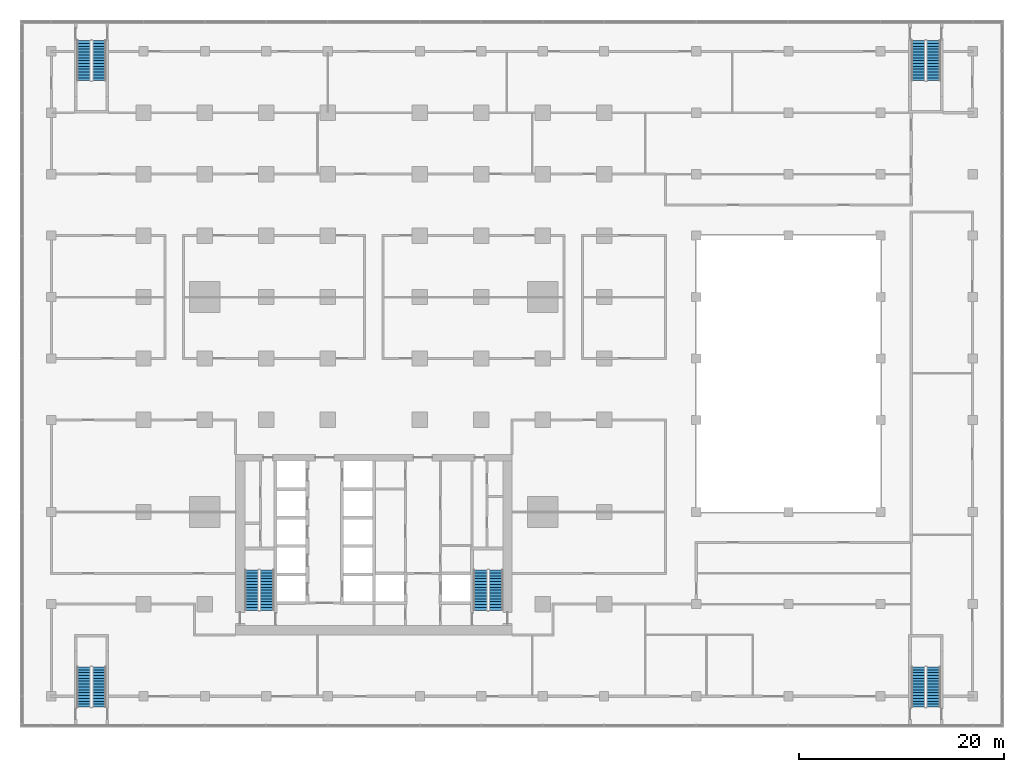
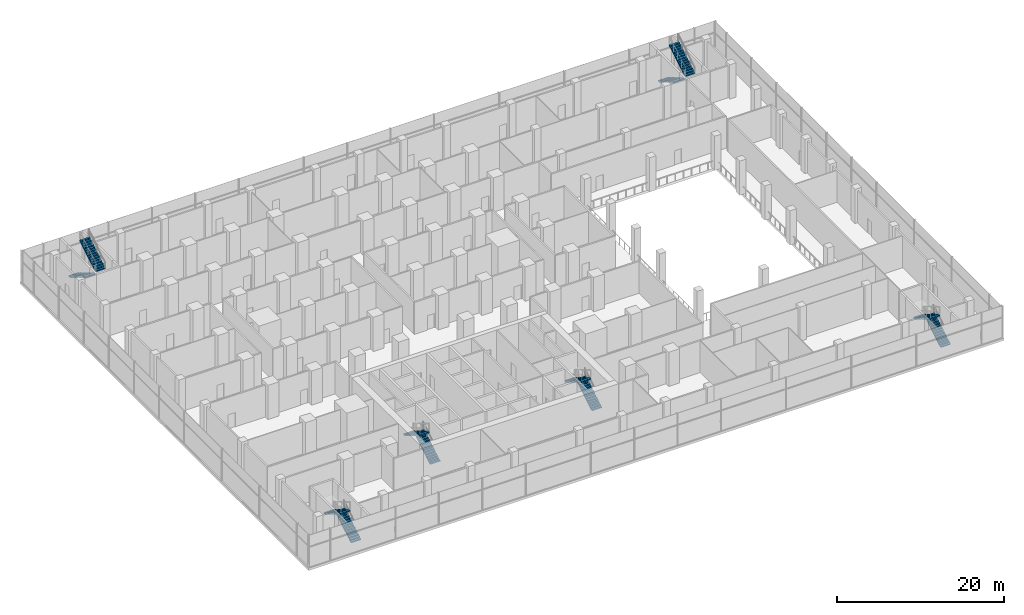
# One storey, part 20 of 22: 12 stair flights, 6 elements without a shape of their own.
"""IFC4 building model written with IfcOpenShell, lengths in metres."""

from ifc_helpers import new_model, si_unit, direction, frame, origin, place, context, subcontext, project, spatial, polyline, outline, extrude, material, type_object, element, aggregate, save


model = new_model("IFC4")

# Units and contexts
model_context = context("Model", 3, precision=1e-05, world=origin(), true_north=direction((0.0, 1.0)))
body_context = subcontext(model_context, "Body", "Model", "MODEL_VIEW")
ifc_project = project(units=[si_unit("LENGTHUNIT", "METRE"), si_unit("AREAUNIT", "SQUARE_METRE"), si_unit("VOLUMEUNIT", "CUBIC_METRE"), si_unit("PLANEANGLEUNIT", "RADIAN"), si_unit("MASSUNIT", "GRAM", prefix="KILO")], contexts=[model_context])

# Site, building, storey
site_placement = place(None, origin())
site = spatial("IfcSite", under=ifc_project, at=site_placement, CompositionType="ELEMENT")
building_placement = place(site_placement, origin())
building = spatial("IfcBuilding", under=site, at=building_placement, Name="Finial Court Residences", CompositionType="ELEMENT")
storey_placement = place(building_placement, frame((0.0, 0.0, 13.5)))
storey = spatial("IfcBuildingStorey", under=building, at=storey_placement, Name="L02", CompositionType="ELEMENT", Elevation=13.5)

# Stair, stair flights
ifc_material = material(Name="Concrete C50/60", Category="concrete")
stair_type = type_object("IfcStairType", Name="Exit stair 30 risers of 166.7 mm", PredefinedType="HALF_TURN_STAIR", material=ifc_material)
stair_1_placement = place(storey_placement, origin())
stair_1 = element("IfcStair", 1, at=stair_1_placement, inside=storey, type_object=stair_type, Name="L02 Exit stair ST-1", PredefinedType="HALF_TURN_STAIR")
stair_flight_type = type_object("IfcStairFlightType", Name="Exit stair flight", PredefinedType="STRAIGHT", material=ifc_material)
stair_flight_1_placement = place(storey_placement, frame((-10.425048828125, -23.10009765625, 0.0), z_axis=(0.0, 0.0, 1.0), x_axis=(0.0, 1.0, 0.0)))
stair_flight_1 = element("IfcStairFlight", 2, at=stair_flight_1_placement, type_object=stair_flight_type, Name="ST-1 flight 1", NumberOfRisers=15, NumberOfTreads=14, PredefinedType="STRAIGHT", RiserHeight=0.166666667, TreadLength=0.28, context=body_context, shape_type="SweptSolid", body=[
    extrude(outline(polyline([(0.0, 0.0), (0.0, 0.166748046875), (0.280029296875, 0.166748046875), (0.280029296875, 0.333251953125), (0.56005859375, 0.333251953125), (0.56005859375, 0.5), (0.840087890625, 0.5), (0.840087890625, 0.666748046875), (1.1201171875, 0.666748046875), (1.1201171875, 0.833251953125), (1.39990234375, 0.833251953125), (1.39990234375, 1.0), (1.679931640625, 1.0), (1.679931640625, 1.166748046875), (1.9599609375, 1.166748046875), (1.9599609375, 1.333251953125), (2.239990234375, 1.333251953125), (2.239990234375, 1.5), (2.52001953125, 1.5), (2.52001953125, 1.666748046875), (2.800048828125, 1.666748046875), (2.800048828125, 1.833251953125), (3.080078125, 1.833251953125), (3.080078125, 2.0), (3.360107421875, 2.0), (3.360107421875, 2.166748046875), (3.639892578125, 2.166748046875), (3.639892578125, 2.333251953125), (3.919921875, 2.333251953125), (3.919921875, 2.5), (3.919921875, 2.158935546875), (0.29296875, 0.0), (0.0, 0.0)])), frame((0.0, 0.675048828125, 0.0), z_axis=(0.0, -1.0, 0.0), x_axis=(1.0, 0.0, 0.0)), (0.0, 0.0, 1.0), 1.35009765625),
])
stair_flight_2_placement = place(storey_placement, frame((-11.925048828125, -19.179931640625, 2.5), z_axis=(0.0, 0.0, 1.0), x_axis=(0.0, -1.0, 0.0)))
stair_flight_2 = element("IfcStairFlight", 3, at=stair_flight_2_placement, type_object=stair_flight_type, Name="ST-1 flight 2", NumberOfRisers=15, NumberOfTreads=14, PredefinedType="STRAIGHT", RiserHeight=0.166666667, TreadLength=0.28, context=body_context, shape_type="SweptSolid", body=[
    extrude(outline(polyline([(0.0, 0.0), (0.0, 0.166748046875), (0.280029296875, 0.166748046875), (0.280029296875, 0.333251953125), (0.56005859375, 0.333251953125), (0.56005859375, 0.5), (0.840087890625, 0.5), (0.840087890625, 0.666748046875), (1.1201171875, 0.666748046875), (1.1201171875, 0.833251953125), (1.39990234375, 0.833251953125), (1.39990234375, 1.0), (1.679931640625, 1.0), (1.679931640625, 1.166748046875), (1.9599609375, 1.166748046875), (1.9599609375, 1.333251953125), (2.239990234375, 1.333251953125), (2.239990234375, 1.5), (2.52001953125, 1.5), (2.52001953125, 1.666748046875), (2.800048828125, 1.666748046875), (2.800048828125, 1.833251953125), (3.080078125, 1.833251953125), (3.080078125, 2.0), (3.360107421875, 2.0), (3.360107421875, 2.166748046875), (3.639892578125, 2.166748046875), (3.639892578125, 2.333251953125), (3.919921875, 2.333251953125), (3.919921875, 2.5), (3.919921875, 2.158935546875), (0.29296875, 0.0), (0.0, 0.0)])), frame((0.0, 0.675048828125, 0.0), z_axis=(0.0, -1.0, 0.0), x_axis=(1.0, 0.0, 0.0)), (0.0, 0.0, 1.0), 1.35009765625),
])
aggregate(stair_1, [stair_flight_1, stair_flight_2])

stair_2_placement = place(storey_placement, origin())
stair_2 = element("IfcStair", 4, at=stair_2_placement, inside=storey, type_object=stair_type, Name="L02 Exit stair ST-2", PredefinedType="HALF_TURN_STAIR")
stair_flight_3_placement = place(storey_placement, frame((11.925048828125, -23.10009765625, 0.0), z_axis=(0.0, 0.0, 1.0), x_axis=(0.0, 1.0, 0.0)))
stair_flight_3 = element("IfcStairFlight", 5, at=stair_flight_3_placement, type_object=stair_flight_type, Name="ST-2 flight 1", NumberOfRisers=15, NumberOfTreads=14, PredefinedType="STRAIGHT", RiserHeight=0.166666667, TreadLength=0.28, context=body_context, shape_type="SweptSolid", body=[
    extrude(outline(polyline([(0.0, 0.0), (0.0, 0.166748046875), (0.280029296875, 0.166748046875), (0.280029296875, 0.333251953125), (0.56005859375, 0.333251953125), (0.56005859375, 0.5), (0.840087890625, 0.5), (0.840087890625, 0.666748046875), (1.1201171875, 0.666748046875), (1.1201171875, 0.833251953125), (1.39990234375, 0.833251953125), (1.39990234375, 1.0), (1.679931640625, 1.0), (1.679931640625, 1.166748046875), (1.9599609375, 1.166748046875), (1.9599609375, 1.333251953125), (2.239990234375, 1.333251953125), (2.239990234375, 1.5), (2.52001953125, 1.5), (2.52001953125, 1.666748046875), (2.800048828125, 1.666748046875), (2.800048828125, 1.833251953125), (3.080078125, 1.833251953125), (3.080078125, 2.0), (3.360107421875, 2.0), (3.360107421875, 2.166748046875), (3.639892578125, 2.166748046875), (3.639892578125, 2.333251953125), (3.919921875, 2.333251953125), (3.919921875, 2.5), (3.919921875, 2.158935546875), (0.29296875, 0.0), (0.0, 0.0)])), frame((0.0, 0.675048828125, 0.0), z_axis=(0.0, -1.0, 0.0), x_axis=(1.0, 0.0, 0.0)), (0.0, 0.0, 1.0), 1.35009765625),
])
stair_flight_4_placement = place(storey_placement, frame((10.425048828125, -19.179931640625, 2.5), z_axis=(0.0, 0.0, 1.0), x_axis=(0.0, -1.0, 0.0)))
stair_flight_4 = element("IfcStairFlight", 6, at=stair_flight_4_placement, type_object=stair_flight_type, Name="ST-2 flight 2", NumberOfRisers=15, NumberOfTreads=14, PredefinedType="STRAIGHT", RiserHeight=0.166666667, TreadLength=0.28, context=body_context, shape_type="SweptSolid", body=[
    extrude(outline(polyline([(0.0, 0.0), (0.0, 0.166748046875), (0.280029296875, 0.166748046875), (0.280029296875, 0.333251953125), (0.56005859375, 0.333251953125), (0.56005859375, 0.5), (0.840087890625, 0.5), (0.840087890625, 0.666748046875), (1.1201171875, 0.666748046875), (1.1201171875, 0.833251953125), (1.39990234375, 0.833251953125), (1.39990234375, 1.0), (1.679931640625, 1.0), (1.679931640625, 1.166748046875), (1.9599609375, 1.166748046875), (1.9599609375, 1.333251953125), (2.239990234375, 1.333251953125), (2.239990234375, 1.5), (2.52001953125, 1.5), (2.52001953125, 1.666748046875), (2.800048828125, 1.666748046875), (2.800048828125, 1.833251953125), (3.080078125, 1.833251953125), (3.080078125, 2.0), (3.360107421875, 2.0), (3.360107421875, 2.166748046875), (3.639892578125, 2.166748046875), (3.639892578125, 2.333251953125), (3.919921875, 2.333251953125), (3.919921875, 2.5), (3.919921875, 2.158935546875), (0.29296875, 0.0), (0.0, 0.0)])), frame((0.0, 0.675048828125, 0.0), z_axis=(0.0, -1.0, 0.0), x_axis=(1.0, 0.0, 0.0)), (0.0, 0.0, 1.0), 1.35009765625),
])
aggregate(stair_2, [stair_flight_3, stair_flight_4])

stair_3_placement = place(storey_placement, origin())
stair_3 = element("IfcStair", 7, at=stair_3_placement, inside=storey, type_object=stair_type, Name="L02 Exit Stair 3", PredefinedType="HALF_TURN_STAIR")
stair_flight_5_placement = place(storey_placement, frame((54.675048828125, -32.550048828125, 0.0), z_axis=(0.0, 0.0, 1.0), x_axis=(0.0, 1.0, 0.0)))
stair_flight_5 = element("IfcStairFlight", 8, at=stair_flight_5_placement, type_object=stair_flight_type, Name="ST-3 flight 1", NumberOfRisers=15, NumberOfTreads=14, PredefinedType="STRAIGHT", RiserHeight=0.166666667, TreadLength=0.28, context=body_context, shape_type="SweptSolid", body=[
    extrude(outline(polyline([(0.0, 0.0), (0.0, 0.166748046875), (0.280029296875, 0.166748046875), (0.280029296875, 0.333251953125), (0.56005859375, 0.333251953125), (0.56005859375, 0.5), (0.840087890625, 0.5), (0.840087890625, 0.666748046875), (1.1201171875, 0.666748046875), (1.1201171875, 0.833251953125), (1.39990234375, 0.833251953125), (1.39990234375, 1.0), (1.679931640625, 1.0), (1.679931640625, 1.166748046875), (1.9599609375, 1.166748046875), (1.9599609375, 1.333251953125), (2.239990234375, 1.333251953125), (2.239990234375, 1.5), (2.52001953125, 1.5), (2.52001953125, 1.666748046875), (2.800048828125, 1.666748046875), (2.800048828125, 1.833251953125), (3.080078125, 1.833251953125), (3.080078125, 2.0), (3.360107421875, 2.0), (3.360107421875, 2.166748046875), (3.639892578125, 2.166748046875), (3.639892578125, 2.333251953125), (3.919921875, 2.333251953125), (3.919921875, 2.5), (3.919921875, 2.158935546875), (0.29296875, 0.0), (0.0, 0.0)])), frame((0.0, 0.675048828125, 0.0), z_axis=(0.0, -1.0, 0.0), x_axis=(1.0, 0.0, 0.0)), (0.0, 0.0, 1.0), 1.35009765625),
])
stair_flight_6_placement = place(storey_placement, frame((53.175048828125, -28.6298828125, 2.5), z_axis=(0.0, 0.0, 1.0), x_axis=(0.0, -1.0, 0.0)))
stair_flight_6 = element("IfcStairFlight", 9, at=stair_flight_6_placement, type_object=stair_flight_type, Name="ST-3 flight 2", NumberOfRisers=15, NumberOfTreads=14, PredefinedType="STRAIGHT", RiserHeight=0.166666667, TreadLength=0.28, context=body_context, shape_type="SweptSolid", body=[
    extrude(outline(polyline([(0.0, 0.0), (0.0, 0.166748046875), (0.280029296875, 0.166748046875), (0.280029296875, 0.333251953125), (0.56005859375, 0.333251953125), (0.56005859375, 0.5), (0.840087890625, 0.5), (0.840087890625, 0.666748046875), (1.1201171875, 0.666748046875), (1.1201171875, 0.833251953125), (1.39990234375, 0.833251953125), (1.39990234375, 1.0), (1.679931640625, 1.0), (1.679931640625, 1.166748046875), (1.9599609375, 1.166748046875), (1.9599609375, 1.333251953125), (2.239990234375, 1.333251953125), (2.239990234375, 1.5), (2.52001953125, 1.5), (2.52001953125, 1.666748046875), (2.800048828125, 1.666748046875), (2.800048828125, 1.833251953125), (3.080078125, 1.833251953125), (3.080078125, 2.0), (3.360107421875, 2.0), (3.360107421875, 2.166748046875), (3.639892578125, 2.166748046875), (3.639892578125, 2.333251953125), (3.919921875, 2.333251953125), (3.919921875, 2.5), (3.919921875, 2.158935546875), (0.29296875, 0.0), (0.0, 0.0)])), frame((0.0, 0.675048828125, 0.0), z_axis=(0.0, -1.0, 0.0), x_axis=(1.0, 0.0, 0.0)), (0.0, 0.0, 1.0), 1.35009765625),
])
aggregate(stair_3, [stair_flight_5, stair_flight_6])

stair_4_placement = place(storey_placement, origin())
stair_4 = element("IfcStair", 10, at=stair_4_placement, inside=storey, type_object=stair_type, Name="L02 Exit Stair 4", PredefinedType="HALF_TURN_STAIR")
stair_flight_7_placement = place(storey_placement, frame((-26.824951171875, -32.550048828125, 0.0), z_axis=(0.0, 0.0, 1.0), x_axis=(0.0, 1.0, 0.0)))
stair_flight_7 = element("IfcStairFlight", 11, at=stair_flight_7_placement, type_object=stair_flight_type, Name="ST-4 flight 1", NumberOfRisers=15, NumberOfTreads=14, PredefinedType="STRAIGHT", RiserHeight=0.166666667, TreadLength=0.28, context=body_context, shape_type="SweptSolid", body=[
    extrude(outline(polyline([(0.0, 0.0), (0.0, 0.166748046875), (0.280029296875, 0.166748046875), (0.280029296875, 0.333251953125), (0.56005859375, 0.333251953125), (0.56005859375, 0.5), (0.840087890625, 0.5), (0.840087890625, 0.666748046875), (1.1201171875, 0.666748046875), (1.1201171875, 0.833251953125), (1.39990234375, 0.833251953125), (1.39990234375, 1.0), (1.679931640625, 1.0), (1.679931640625, 1.166748046875), (1.9599609375, 1.166748046875), (1.9599609375, 1.333251953125), (2.239990234375, 1.333251953125), (2.239990234375, 1.5), (2.52001953125, 1.5), (2.52001953125, 1.666748046875), (2.800048828125, 1.666748046875), (2.800048828125, 1.833251953125), (3.080078125, 1.833251953125), (3.080078125, 2.0), (3.360107421875, 2.0), (3.360107421875, 2.166748046875), (3.639892578125, 2.166748046875), (3.639892578125, 2.333251953125), (3.919921875, 2.333251953125), (3.919921875, 2.5), (3.919921875, 2.158935546875), (0.29296875, 0.0), (0.0, 0.0)])), frame((0.0, 0.675048828125, 0.0), z_axis=(0.0, -1.0, 0.0), x_axis=(1.0, 0.0, 0.0)), (0.0, 0.0, 1.0), 1.35009765625),
])
stair_flight_8_placement = place(storey_placement, frame((-28.324951171875, -28.6298828125, 2.5), z_axis=(0.0, 0.0, 1.0), x_axis=(0.0, -1.0, 0.0)))
stair_flight_8 = element("IfcStairFlight", 12, at=stair_flight_8_placement, type_object=stair_flight_type, Name="ST-4 flight 2", NumberOfRisers=15, NumberOfTreads=14, PredefinedType="STRAIGHT", RiserHeight=0.166666667, TreadLength=0.28, context=body_context, shape_type="SweptSolid", body=[
    extrude(outline(polyline([(0.0, 0.0), (0.0, 0.166748046875), (0.280029296875, 0.166748046875), (0.280029296875, 0.333251953125), (0.56005859375, 0.333251953125), (0.56005859375, 0.5), (0.840087890625, 0.5), (0.840087890625, 0.666748046875), (1.1201171875, 0.666748046875), (1.1201171875, 0.833251953125), (1.39990234375, 0.833251953125), (1.39990234375, 1.0), (1.679931640625, 1.0), (1.679931640625, 1.166748046875), (1.9599609375, 1.166748046875), (1.9599609375, 1.333251953125), (2.239990234375, 1.333251953125), (2.239990234375, 1.5), (2.52001953125, 1.5), (2.52001953125, 1.666748046875), (2.800048828125, 1.666748046875), (2.800048828125, 1.833251953125), (3.080078125, 1.833251953125), (3.080078125, 2.0), (3.360107421875, 2.0), (3.360107421875, 2.166748046875), (3.639892578125, 2.166748046875), (3.639892578125, 2.333251953125), (3.919921875, 2.333251953125), (3.919921875, 2.5), (3.919921875, 2.158935546875), (0.29296875, 0.0), (0.0, 0.0)])), frame((0.0, 0.675048828125, 0.0), z_axis=(0.0, -1.0, 0.0), x_axis=(1.0, 0.0, 0.0)), (0.0, 0.0, 1.0), 1.35009765625),
])
aggregate(stair_4, [stair_flight_7, stair_flight_8])

stair_5_placement = place(storey_placement, origin())
stair_5 = element("IfcStair", 13, at=stair_5_placement, inside=storey, type_object=stair_type, Name="L02 Exit Stair 5", PredefinedType="HALF_TURN_STAIR")
stair_flight_9_placement = place(storey_placement, frame((53.175048828125, 32.550048828125, 0.0), z_axis=(0.0, 0.0, 1.0), x_axis=(0.0, -1.0, 0.0)))
stair_flight_9 = element("IfcStairFlight", 14, at=stair_flight_9_placement, type_object=stair_flight_type, Name="ST-5 flight 1", NumberOfRisers=15, NumberOfTreads=14, PredefinedType="STRAIGHT", RiserHeight=0.166666667, TreadLength=0.28, context=body_context, shape_type="SweptSolid", body=[
    extrude(outline(polyline([(0.0, 0.0), (0.0, 0.166748046875), (0.280029296875, 0.166748046875), (0.280029296875, 0.333251953125), (0.56005859375, 0.333251953125), (0.56005859375, 0.5), (0.840087890625, 0.5), (0.840087890625, 0.666748046875), (1.1201171875, 0.666748046875), (1.1201171875, 0.833251953125), (1.39990234375, 0.833251953125), (1.39990234375, 1.0), (1.679931640625, 1.0), (1.679931640625, 1.166748046875), (1.9599609375, 1.166748046875), (1.9599609375, 1.333251953125), (2.239990234375, 1.333251953125), (2.239990234375, 1.5), (2.52001953125, 1.5), (2.52001953125, 1.666748046875), (2.800048828125, 1.666748046875), (2.800048828125, 1.833251953125), (3.080078125, 1.833251953125), (3.080078125, 2.0), (3.360107421875, 2.0), (3.360107421875, 2.166748046875), (3.639892578125, 2.166748046875), (3.639892578125, 2.333251953125), (3.919921875, 2.333251953125), (3.919921875, 2.5), (3.919921875, 2.158935546875), (0.29296875, 0.0), (0.0, 0.0)])), frame((0.0, 0.675048828125, 0.0), z_axis=(0.0, -1.0, 0.0), x_axis=(1.0, 0.0, 0.0)), (0.0, 0.0, 1.0), 1.35009765625),
])
stair_flight_10_placement = place(storey_placement, frame((54.675048828125, 28.6298828125, 2.5), z_axis=(0.0, 0.0, 1.0), x_axis=(0.0, 1.0, 0.0)))
stair_flight_10 = element("IfcStairFlight", 15, at=stair_flight_10_placement, type_object=stair_flight_type, Name="ST-5 flight 2", NumberOfRisers=15, NumberOfTreads=14, PredefinedType="STRAIGHT", RiserHeight=0.166666667, TreadLength=0.28, context=body_context, shape_type="SweptSolid", body=[
    extrude(outline(polyline([(0.0, 0.0), (0.0, 0.166748046875), (0.280029296875, 0.166748046875), (0.280029296875, 0.333251953125), (0.56005859375, 0.333251953125), (0.56005859375, 0.5), (0.840087890625, 0.5), (0.840087890625, 0.666748046875), (1.1201171875, 0.666748046875), (1.1201171875, 0.833251953125), (1.39990234375, 0.833251953125), (1.39990234375, 1.0), (1.679931640625, 1.0), (1.679931640625, 1.166748046875), (1.9599609375, 1.166748046875), (1.9599609375, 1.333251953125), (2.239990234375, 1.333251953125), (2.239990234375, 1.5), (2.52001953125, 1.5), (2.52001953125, 1.666748046875), (2.800048828125, 1.666748046875), (2.800048828125, 1.833251953125), (3.080078125, 1.833251953125), (3.080078125, 2.0), (3.360107421875, 2.0), (3.360107421875, 2.166748046875), (3.639892578125, 2.166748046875), (3.639892578125, 2.333251953125), (3.919921875, 2.333251953125), (3.919921875, 2.5), (3.919921875, 2.158935546875), (0.29296875, 0.0), (0.0, 0.0)])), frame((0.0, 0.675048828125, 0.0), z_axis=(0.0, -1.0, 0.0), x_axis=(1.0, 0.0, 0.0)), (0.0, 0.0, 1.0), 1.35009765625),
])
aggregate(stair_5, [stair_flight_9, stair_flight_10])

stair_6_placement = place(storey_placement, origin())
stair_6 = element("IfcStair", 16, at=stair_6_placement, inside=storey, type_object=stair_type, Name="L02 Exit Stair 6", PredefinedType="HALF_TURN_STAIR")
stair_flight_11_placement = place(storey_placement, frame((-28.324951171875, 32.550048828125, 0.0), z_axis=(0.0, 0.0, 1.0), x_axis=(0.0, -1.0, 0.0)))
stair_flight_11 = element("IfcStairFlight", 17, at=stair_flight_11_placement, type_object=stair_flight_type, Name="ST-6 flight 1", NumberOfRisers=15, NumberOfTreads=14, PredefinedType="STRAIGHT", RiserHeight=0.166666667, TreadLength=0.28, context=body_context, shape_type="SweptSolid", body=[
    extrude(outline(polyline([(0.0, 0.0), (0.0, 0.166748046875), (0.280029296875, 0.166748046875), (0.280029296875, 0.333251953125), (0.56005859375, 0.333251953125), (0.56005859375, 0.5), (0.840087890625, 0.5), (0.840087890625, 0.666748046875), (1.1201171875, 0.666748046875), (1.1201171875, 0.833251953125), (1.39990234375, 0.833251953125), (1.39990234375, 1.0), (1.679931640625, 1.0), (1.679931640625, 1.166748046875), (1.9599609375, 1.166748046875), (1.9599609375, 1.333251953125), (2.239990234375, 1.333251953125), (2.239990234375, 1.5), (2.52001953125, 1.5), (2.52001953125, 1.666748046875), (2.800048828125, 1.666748046875), (2.800048828125, 1.833251953125), (3.080078125, 1.833251953125), (3.080078125, 2.0), (3.360107421875, 2.0), (3.360107421875, 2.166748046875), (3.639892578125, 2.166748046875), (3.639892578125, 2.333251953125), (3.919921875, 2.333251953125), (3.919921875, 2.5), (3.919921875, 2.158935546875), (0.29296875, 0.0), (0.0, 0.0)])), frame((0.0, 0.675048828125, 0.0), z_axis=(0.0, -1.0, 0.0), x_axis=(1.0, 0.0, 0.0)), (0.0, 0.0, 1.0), 1.35009765625),
])
stair_flight_12_placement = place(storey_placement, frame((-26.824951171875, 28.6298828125, 2.5), z_axis=(0.0, 0.0, 1.0), x_axis=(0.0, 1.0, 0.0)))
stair_flight_12 = element("IfcStairFlight", 18, at=stair_flight_12_placement, type_object=stair_flight_type, Name="ST-6 flight 2", NumberOfRisers=15, NumberOfTreads=14, PredefinedType="STRAIGHT", RiserHeight=0.166666667, TreadLength=0.28, context=body_context, shape_type="SweptSolid", body=[
    extrude(outline(polyline([(0.0, 0.0), (0.0, 0.166748046875), (0.280029296875, 0.166748046875), (0.280029296875, 0.333251953125), (0.56005859375, 0.333251953125), (0.56005859375, 0.5), (0.840087890625, 0.5), (0.840087890625, 0.666748046875), (1.1201171875, 0.666748046875), (1.1201171875, 0.833251953125), (1.39990234375, 0.833251953125), (1.39990234375, 1.0), (1.679931640625, 1.0), (1.679931640625, 1.166748046875), (1.9599609375, 1.166748046875), (1.9599609375, 1.333251953125), (2.239990234375, 1.333251953125), (2.239990234375, 1.5), (2.52001953125, 1.5), (2.52001953125, 1.666748046875), (2.800048828125, 1.666748046875), (2.800048828125, 1.833251953125), (3.080078125, 1.833251953125), (3.080078125, 2.0), (3.360107421875, 2.0), (3.360107421875, 2.166748046875), (3.639892578125, 2.166748046875), (3.639892578125, 2.333251953125), (3.919921875, 2.333251953125), (3.919921875, 2.5), (3.919921875, 2.158935546875), (0.29296875, 0.0), (0.0, 0.0)])), frame((0.0, 0.675048828125, 0.0), z_axis=(0.0, -1.0, 0.0), x_axis=(1.0, 0.0, 0.0)), (0.0, 0.0, 1.0), 1.35009765625),
])
aggregate(stair_6, [stair_flight_11, stair_flight_12])

save(model, "model.ifc")
